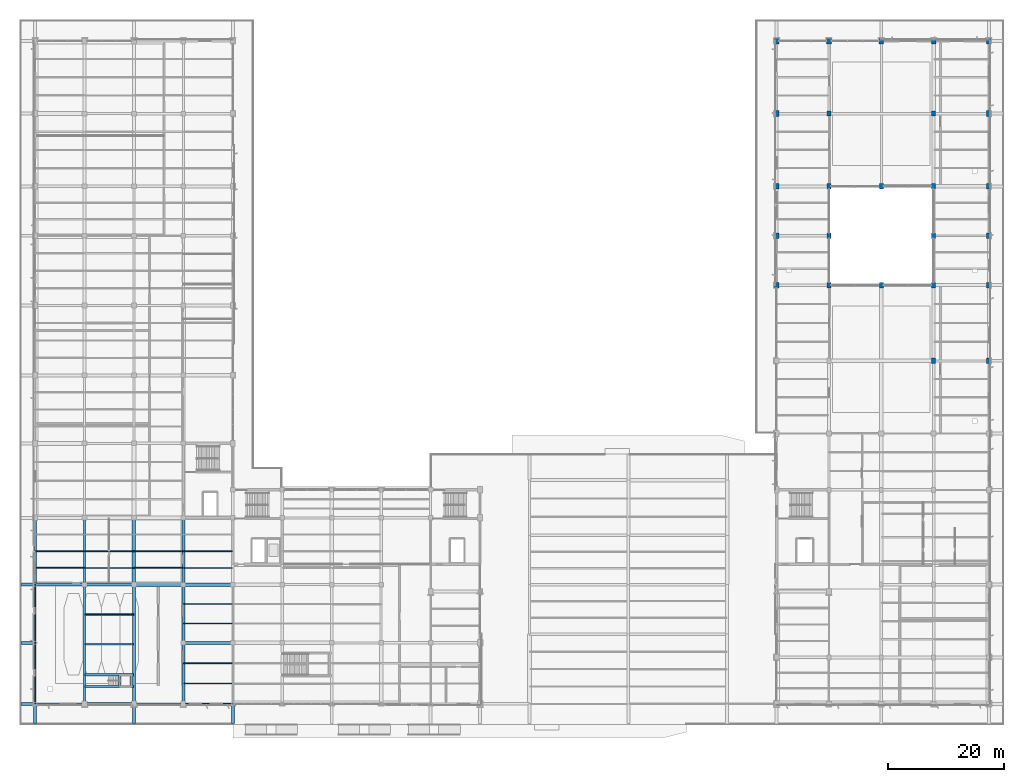
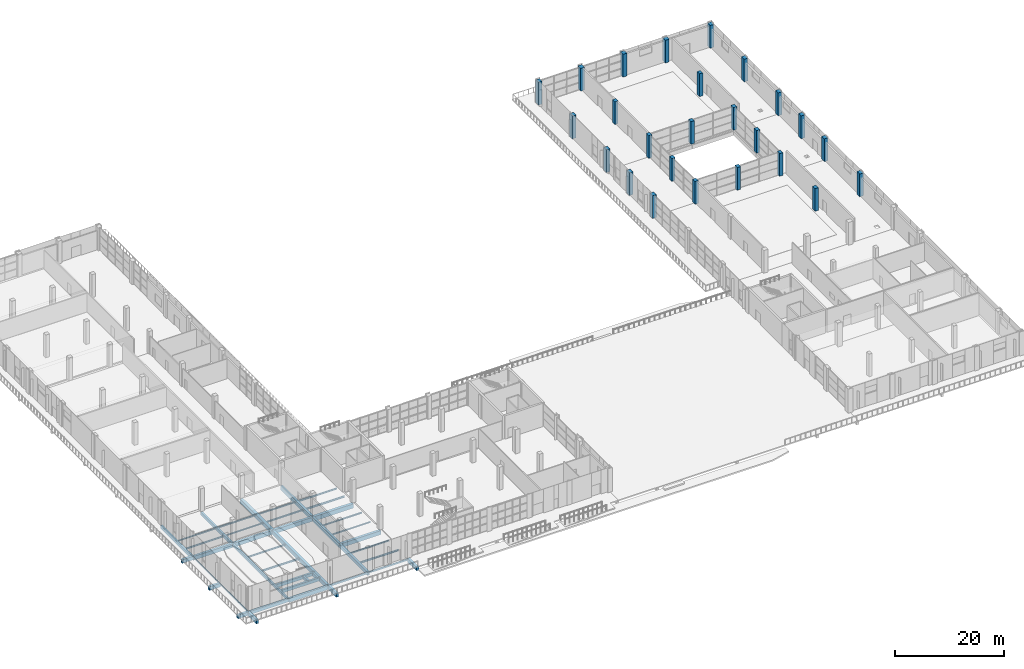
# One storey, part 7 of 90: 43 beams, 25 columns.
"""IFC4 building model written with IfcOpenShell, lengths in metres."""

from ifc_helpers import new_model, si_unit, direction, frame, origin, origin_2d, place, context, subcontext, project, spatial, rectangle, hollow_rectangle, i_section, extrude, material, material_profile, profile_set, type_object, element, save


model = new_model("IFC4")

# Units and contexts
model_context = context("Model", 3, precision=1e-05, world=origin(), true_north=direction((0.0, 1.0)))
body_context = subcontext(model_context, "Body", "Model", "MODEL_VIEW")
ifc_project = project(units=[si_unit("LENGTHUNIT", "METRE"), si_unit("AREAUNIT", "SQUARE_METRE"), si_unit("VOLUMEUNIT", "CUBIC_METRE"), si_unit("PLANEANGLEUNIT", "RADIAN"), si_unit("MASSUNIT", "GRAM", prefix="KILO")], contexts=[model_context])

# Site, building, storey
site_placement = place(None, origin())
site = spatial("IfcSite", under=ifc_project, at=site_placement, CompositionType="ELEMENT")
building_placement = place(site_placement, origin())
building = spatial("IfcBuilding", under=site, at=building_placement, Name="Solvikara Media Centre", CompositionType="ELEMENT")
storey_placement = place(building_placement, origin())
storey = spatial("IfcBuildingStorey", under=building, at=storey_placement, Name="L00", CompositionType="ELEMENT", Elevation=0.0)

# Columns
ifc_material_1 = material(Name="Concrete fc' 45 MPa (C45/55)", Category="concrete")
ifc_material_profile_1 = material_profile(ifc_material_1, rectangle(XDim=0.699951171875, YDim=0.89990234375, at=origin_2d()), Name="RC 700x900")
ifc_profile_set_1 = profile_set([ifc_material_profile_1], Name="Concrete fc' 45 MPa (C45/55)")
column_type_1 = type_object("IfcColumnType", Name="CL-12", PredefinedType="COLUMN", material=ifc_profile_set_1)
for number, where, z_axis, x_axis, name in (
    (1, (136.5, 72.0, 0.0), (0.0, 0.0, 1.0), (1.0, 0.0, 0.0), "C-L00-1365-0720"),
    (2, (136.5, 80.5, 0.0), (0.0, 0.0, 1.0), (1.0, 0.0, 0.0), "C-L00-1365-0805"),
    (3, (136.5, 89.0, 0.0), (0.0, 0.0, 1.0), (1.0, 0.0, 0.0), "C-L00-1365-0890"),
    (4, (136.5, 101.5, 0.0), (0.0, 0.0, 1.0), (1.0, 0.0, 0.0), "C-L00-1365-1015"),
    (5, (145.5, 72.0, 0.0), (0.0, 0.0, 1.0), (1.0, 0.0, 0.0), "C-L00-1455-0720"),
    (6, (145.5, 89.0, 0.0), (0.0, 0.0, 1.0), (1.0, 0.0, 0.0), "C-L00-1455-0890"),
    (7, (154.5, 59.0, 0.0), (0.0, 0.0, 1.0), (1.0, 0.0, 0.0), "C-L00-1545-0590"),
    (8, (154.5, 72.0, 0.0), (0.0, 0.0, 1.0), (1.0, 0.0, 0.0), "C-L00-1545-0720"),
    (9, (154.5, 80.5, 0.0), (0.0, 0.0, 1.0), (1.0, 0.0, 0.0), "C-L00-1545-0805"),
    (10, (154.5, 89.0, 0.0), (0.0, 0.0, 1.0), (1.0, 0.0, 0.0), "C-L00-1545-0890"),
    (11, (154.5, 101.5, 0.0), (0.0, 0.0, 1.0), (1.0, 0.0, 0.0), "C-L00-1545-1015"),
):
    element("IfcColumn", number, at=place(storey_placement, frame(where, z_axis=z_axis, x_axis=x_axis)), inside=storey, type_object=column_type_1, Name=name, PredefinedType="COLUMN", context=body_context, shape_type="SweptSolid", body=[
        extrude(rectangle(XDim=0.699951171875, YDim=0.89990234375, at=origin_2d()), origin(), (0.0, 0.0, 1.0), 5.10009765625),
    ])
ifc_material_profile_2 = material_profile(ifc_material_1, rectangle(XDim=0.800048828125, YDim=1.0, at=origin_2d()), Name="RC 800x1000")
ifc_profile_set_2 = profile_set([ifc_material_profile_2], Name="Concrete fc' 45 MPa (C45/55)")
column_type_2 = type_object("IfcColumnType", Name="CL-16", PredefinedType="COLUMN", material=ifc_profile_set_2)
for number, where, z_axis, x_axis, name in (
    (12, (127.5, 72.0, 0.0), (0.0, 0.0, 1.0), (1.0, 0.0, 0.0), "C-L00-1275-0720"),
    (13, (127.5, 80.5, 0.0), (0.0, 0.0, 1.0), (1.0, 0.0, 0.0), "C-L00-1275-0805"),
    (14, (127.5, 89.0, 0.0), (0.0, 0.0, 1.0), (1.0, 0.0, 0.0), "C-L00-1275-0890"),
    (15, (127.5, 101.5, 0.0), (0.0, 0.0, 1.0), (1.0, 0.0, 0.0), "C-L00-1275-1015"),
    (16, (127.5, 114.0, 0.0), (0.0, 0.0, 1.0), (1.0, 0.0, 0.0), "C-L00-1275-1140"),
    (17, (136.5, 114.0, 0.0), (0.0, 0.0, 1.0), (1.0, 0.0, 0.0), "C-L00-1365-1140"),
    (18, (145.5, 114.0, 0.0), (0.0, 0.0, 1.0), (1.0, 0.0, 0.0), "C-L00-1455-1140"),
    (19, (154.5, 114.0, 0.0), (0.0, 0.0, 1.0), (1.0, 0.0, 0.0), "C-L00-1545-1140"),
    (20, (164.0, 59.0, 0.0), (0.0, 0.0, 1.0), (1.0, 0.0, 0.0), "C-L00-1640-0590"),
    (21, (164.0, 72.0, 0.0), (0.0, 0.0, 1.0), (1.0, 0.0, 0.0), "C-L00-1640-0720"),
    (22, (164.0, 80.5, 0.0), (0.0, 0.0, 1.0), (1.0, 0.0, 0.0), "C-L00-1640-0805"),
    (23, (164.0, 89.0, 0.0), (0.0, 0.0, 1.0), (1.0, 0.0, 0.0), "C-L00-1640-0890"),
    (24, (164.0, 101.5, 0.0), (0.0, 0.0, 1.0), (1.0, 0.0, 0.0), "C-L00-1640-1015"),
    (25, (164.0, 114.0, 0.0), (0.0, 0.0, 1.0), (1.0, 0.0, 0.0), "C-L00-1640-1140"),
):
    element("IfcColumn", number, at=place(storey_placement, frame(where, z_axis=z_axis, x_axis=x_axis)), inside=storey, type_object=column_type_2, Name=name, PredefinedType="COLUMN", context=body_context, shape_type="SweptSolid", body=[
        extrude(rectangle(XDim=0.800048828125, YDim=1.0, at=origin_2d()), origin(), (0.0, 0.0, 1.0), 5.10009765625),
    ])

# Beams
ifc_material_2 = material(Name="Concrete fc' 35 MPa (C35/45)", Category="concrete")
ifc_material_profile_3 = material_profile(ifc_material_2, rectangle(XDim=0.35009765625, YDim=0.60009765625, at=origin_2d()), Name="RC 350x600")
ifc_profile_set_3 = profile_set([ifc_material_profile_3], Name="Concrete fc' 35 MPa (C35/45)")
beam_type_1 = type_object("IfcBeamType", Name="BM-01", PredefinedType="BEAM", material=ifc_profile_set_3)
beam_1_placement = place(storey_placement, frame((8.5, 0.0, -0.639892578125), z_axis=(0.0, 1.0, 0.0), x_axis=(-1.0, 0.0, 0.0)))
element("IfcBeam", 26, at=beam_1_placement, inside=storey, type_object=beam_type_1, Name="B-L00-Y0121", PredefinedType="BEAM", context=body_context, shape_type="SweptSolid", body=[
    extrude(rectangle(XDim=0.35009765625, YDim=0.60009765625, at=origin_2d()), origin(), (0.0, 0.0, 1.0), 20.5),
])
ifc_material_profile_4 = material_profile(ifc_material_2, rectangle(XDim=0.39990234375, YDim=0.64990234375, at=origin_2d()), Name="RC 400x650")
ifc_profile_set_4 = profile_set([ifc_material_profile_4], Name="Concrete fc' 35 MPa (C35/45)")
beam_type_2 = type_object("IfcBeamType", Name="BM-02", PredefinedType="BEAM", material=ifc_profile_set_4)
beam_2_placement = place(storey_placement, frame((8.5, 20.5, -0.6650390625), z_axis=(0.0, 1.0, 0.0), x_axis=(-1.0, 0.0, 0.0)))
element("IfcBeam", 27, at=beam_2_placement, inside=storey, type_object=beam_type_2, Name="B-L00-Y0122", PredefinedType="BEAM", context=body_context, shape_type="SweptSolid", body=[
    extrude(rectangle(XDim=0.39990234375, YDim=0.64990234375, at=origin_2d()), origin(), (0.0, 0.0, 1.0), 11.5),
])
ifc_material_profile_5 = material_profile(ifc_material_2, rectangle(XDim=0.39990234375, YDim=0.699951171875, at=origin_2d()), Name="RC 400x700")
ifc_profile_set_5 = profile_set([ifc_material_profile_5], Name="Concrete fc' 35 MPa (C35/45)")
beam_type_3 = type_object("IfcBeamType", Name="BM-03", PredefinedType="BEAM", material=ifc_profile_set_5)
for number, where, z_axis, x_axis, name in (
    (28, (8.580078125, 3.0, -0.68994140625), (1.0, 0.0, 0.0), (0.0, 1.0, 0.0), "B-VOM-GC-1"),
    (29, (8.580078125, 5.0, -0.68994140625), (1.0, 0.0, 0.0), (0.0, 1.0, 0.0), "B-VOM-GC-2"),
):
    element("IfcBeam", number, at=place(storey_placement, frame(where, z_axis=z_axis, x_axis=x_axis)), inside=storey, type_object=beam_type_3, Name=name, PredefinedType="BEAM", context=body_context, shape_type="SweptSolid", body=[
        extrude(rectangle(XDim=0.39990234375, YDim=0.699951171875, at=origin_2d()), origin(), (0.0, 0.0, 1.0), 8.33984375),
    ])
for number, where, z_axis, x_axis, name in (
    (30, (14.550048828125, 3.080078125, -0.68994140625), (0.0, 1.0, 0.0), (-1.0, 0.0, 0.0), "BVW-ST-GC-AISLE-W"),
    (31, (16.550048828125, 3.080078125, -0.68994140625), (0.0, 1.0, 0.0), (-1.0, 0.0, 0.0), "BVW-ST-GC-AISLE-E"),
):
    element("IfcBeam", number, at=place(storey_placement, frame(where, z_axis=z_axis, x_axis=x_axis)), inside=storey, type_object=beam_type_3, Name=name, PredefinedType="BEAM", context=body_context, shape_type="SweptSolid", body=[
        extrude(rectangle(XDim=0.39990234375, YDim=0.699951171875, at=origin_2d()), origin(), (0.0, 0.0, 1.0), 1.83984375),
    ])
ifc_material_profile_6 = material_profile(ifc_material_2, rectangle(XDim=0.5, YDim=0.800048828125, at=origin_2d()), Name="RC 500x800")
ifc_profile_set_6 = profile_set([ifc_material_profile_6], Name="Concrete fc' 35 MPa (C35/45)")
beam_type_4 = type_object("IfcBeamType", Name="BM-07", PredefinedType="BEAM", material=ifc_profile_set_6)
beam_3_placement = place(storey_placement, frame((25.5, 0.0, -0.739990234375), z_axis=(0.0, 1.0, 0.0), x_axis=(-1.0, 0.0, 0.0)))
element("IfcBeam", 32, at=beam_3_placement, inside=storey, type_object=beam_type_4, Name="B-L00-Y0139", PredefinedType="BEAM", context=body_context, shape_type="SweptSolid", body=[
    extrude(rectangle(XDim=0.5, YDim=0.800048828125, at=origin_2d()), origin(), (0.0, 0.0, 1.0), 10.5),
])
for number, where, z_axis, x_axis, name in (
    (33, (-2.3798828125, 0.0, -0.64990234375), (1.0, 0.0, 0.0), (0.0, 1.0, 0.0), "B-L00-PRM-001"),
    (34, (-2.3798828125, 10.5, -0.64990234375), (1.0, 0.0, 0.0), (0.0, 1.0, 0.0), "B-L00-PRM-002"),
    (35, (-2.3798828125, 20.5, -0.64990234375), (1.0, 0.0, 0.0), (0.0, 1.0, 0.0), "B-L00-PRM-003"),
):
    element("IfcBeam", number, at=place(storey_placement, frame(where, z_axis=z_axis, x_axis=x_axis)), inside=storey, type_object=beam_type_4, Name=name, PredefinedType="BEAM", context=body_context, shape_type="SweptSolid", body=[
        extrude(rectangle(XDim=0.5, YDim=0.800048828125, at=origin_2d()), origin(), (0.0, 0.0, 1.0), 2.3798828125),
    ])
for number, where, z_axis, x_axis, name in (
    (36, (0.0, -3.330078125, -0.64990234375), (0.0, 1.0, 0.0), (-1.0, 0.0, 0.0), "B-L00-PRM-022"),
    (37, (17.0, -3.330078125, -0.64990234375), (0.0, 1.0, 0.0), (-1.0, 0.0, 0.0), "B-L00-PRM-023"),
    (38, (34.0, -3.330078125, -0.64990234375), (0.0, 1.0, 0.0), (-1.0, 0.0, 0.0), "B-L00-PRM-024"),
):
    element("IfcBeam", number, at=place(storey_placement, frame(where, z_axis=z_axis, x_axis=x_axis)), inside=storey, type_object=beam_type_4, Name=name, PredefinedType="BEAM", context=body_context, shape_type="SweptSolid", body=[
        extrude(rectangle(XDim=0.5, YDim=0.800048828125, at=origin_2d()), origin(), (0.0, 0.0, 1.0), 3.330078125),
    ])
ifc_material_profile_7 = material_profile(ifc_material_2, rectangle(XDim=0.5, YDim=0.85009765625, at=origin_2d()), Name="RC 500x850")
ifc_profile_set_7 = profile_set([ifc_material_profile_7], Name="Concrete fc' 35 MPa (C35/45)")
beam_type_5 = type_object("IfcBeamType", Name="BM-08", PredefinedType="BEAM", material=ifc_profile_set_7)
beam_4_placement = place(storey_placement, frame((0.0, 20.5, -0.764892578125), z_axis=(1.0, 0.0, 0.0), x_axis=(0.0, 1.0, 0.0)))
element("IfcBeam", 39, at=beam_4_placement, inside=storey, type_object=beam_type_5, Name="B-L00-X0032", PredefinedType="BEAM", context=body_context, shape_type="SweptSolid", body=[
    extrude(rectangle(XDim=0.5, YDim=0.85009765625, at=origin_2d()), origin(), (0.0, 0.0, 1.0), 8.5),
])
beam_5_placement = place(storey_placement, frame((25.5, 10.5, -0.764892578125), z_axis=(0.0, 1.0, 0.0), x_axis=(-1.0, 0.0, 0.0)))
element("IfcBeam", 40, at=beam_5_placement, inside=storey, type_object=beam_type_5, Name="B-L00-Y0140", PredefinedType="BEAM", context=body_context, shape_type="SweptSolid", body=[
    extrude(rectangle(XDim=0.5, YDim=0.85009765625, at=origin_2d()), origin(), (0.0, 0.0, 1.0), 10.0),
])
ifc_material_profile_8 = material_profile(ifc_material_1, rectangle(XDim=0.5, YDim=0.89990234375, at=origin_2d()), Name="RC 500x900")
ifc_profile_set_8 = profile_set([ifc_material_profile_8], Name="Concrete fc' 45 MPa (C45/55)")
beam_type_6 = type_object("IfcBeamType", Name="BM-09", PredefinedType="BEAM", material=ifc_profile_set_8)
beam_6_placement = place(storey_placement, frame((8.5, 20.5, -0.7900390625), z_axis=(1.0, 0.0, 0.0), x_axis=(0.0, 1.0, 0.0)))
element("IfcBeam", 41, at=beam_6_placement, inside=storey, type_object=beam_type_6, Name="B-L00-X0033", PredefinedType="BEAM", context=body_context, shape_type="SweptSolid", body=[
    extrude(rectangle(XDim=0.5, YDim=0.89990234375, at=origin_2d()), origin(), (0.0, 0.0, 1.0), 8.5),
])
beam_7_placement = place(storey_placement, frame((25.5, 20.5, -0.7900390625), z_axis=(0.0, 1.0, 0.0), x_axis=(-1.0, 0.0, 0.0)))
element("IfcBeam", 42, at=beam_7_placement, inside=storey, type_object=beam_type_6, Name="B-L00-Y0141", PredefinedType="BEAM", context=body_context, shape_type="SweptSolid", body=[
    extrude(rectangle(XDim=0.5, YDim=0.89990234375, at=origin_2d()), origin(), (0.0, 0.0, 1.0), 11.5),
])
ifc_material_profile_9 = material_profile(ifc_material_1, rectangle(XDim=0.550048828125, YDim=0.89990234375, at=origin_2d()), Name="RC 550x900")
ifc_profile_set_9 = profile_set([ifc_material_profile_9], Name="Concrete fc' 45 MPa (C45/55)")
beam_type_7 = type_object("IfcBeamType", Name="BM-10", PredefinedType="BEAM", material=ifc_profile_set_9)
for number, where, z_axis, x_axis, name in (
    (43, (25.5, 10.5, -0.7900390625), (1.0, 0.0, 0.0), (0.0, 1.0, 0.0), "B-L00-X0022"),
    (44, (17.0, 20.5, -0.7900390625), (1.0, 0.0, 0.0), (0.0, 1.0, 0.0), "B-L00-X0034"),
):
    element("IfcBeam", number, at=place(storey_placement, frame(where, z_axis=z_axis, x_axis=x_axis)), inside=storey, type_object=beam_type_7, Name=name, PredefinedType="BEAM", context=body_context, shape_type="SweptSolid", body=[
        extrude(rectangle(XDim=0.550048828125, YDim=0.89990234375, at=origin_2d()), origin(), (0.0, 0.0, 1.0), 8.5),
    ])
beam_8_placement = place(storey_placement, frame((17.0, 0.0, -0.7900390625), z_axis=(0.0, 1.0, 0.0), x_axis=(-1.0, 0.0, 0.0)))
element("IfcBeam", 45, at=beam_8_placement, inside=storey, type_object=beam_type_7, Name="B-L00-Y0130", PredefinedType="BEAM", context=body_context, shape_type="SweptSolid", body=[
    extrude(rectangle(XDim=0.550048828125, YDim=0.89990234375, at=origin_2d()), origin(), (0.0, 0.0, 1.0), 20.5),
])
ifc_material_profile_10 = material_profile(ifc_material_1, rectangle(XDim=0.60009765625, YDim=0.949951171875, at=origin_2d()), Name="RC 600x950")
ifc_profile_set_10 = profile_set([ifc_material_profile_10], Name="Concrete fc' 45 MPa (C45/55)")
beam_type_8 = type_object("IfcBeamType", Name="BM-11", PredefinedType="BEAM", material=ifc_profile_set_10)
beam_9_placement = place(storey_placement, frame((25.5, 20.5, -0.81494140625), z_axis=(1.0, 0.0, 0.0), x_axis=(0.0, 1.0, 0.0)))
element("IfcBeam", 46, at=beam_9_placement, inside=storey, type_object=beam_type_8, Name="B-L00-X0035", PredefinedType="BEAM", context=body_context, shape_type="SweptSolid", body=[
    extrude(rectangle(XDim=0.60009765625, YDim=0.949951171875, at=origin_2d()), origin(), (0.0, 0.0, 1.0), 8.5),
])
beam_10_placement = place(storey_placement, frame((17.0, 20.5, -0.81494140625), z_axis=(0.0, 1.0, 0.0), x_axis=(-1.0, 0.0, 0.0)))
element("IfcBeam", 47, at=beam_10_placement, inside=storey, type_object=beam_type_8, Name="B-L00-Y0131", PredefinedType="BEAM", context=body_context, shape_type="SweptSolid", body=[
    extrude(rectangle(XDim=0.60009765625, YDim=0.949951171875, at=origin_2d()), origin(), (0.0, 0.0, 1.0), 11.5),
])
ifc_material_profile_11 = material_profile(ifc_material_2, rectangle(XDim=0.39990234375, YDim=0.699951171875, at=origin_2d()), Name="RC 400x700")
ifc_profile_set_11 = profile_set([ifc_material_profile_11], Name="Concrete fc' 35 MPa (C35/45)")
beam_type_9 = type_object("IfcBeamType", Name="BM-13", PredefinedType="SPANDREL", material=ifc_profile_set_11)
beam_11_placement = place(storey_placement, frame((0.0, 0.0, -0.68994140625), z_axis=(1.0, 0.0, 0.0), x_axis=(0.0, 1.0, 0.0)))
element("IfcBeam", 48, at=beam_11_placement, inside=storey, type_object=beam_type_9, Name="B-L00-X0001", PredefinedType="SPANDREL", context=body_context, shape_type="SweptSolid", body=[
    extrude(rectangle(XDim=0.39990234375, YDim=0.699951171875, at=origin_2d()), origin(), (0.0, 0.0, 1.0), 8.5),
])
beam_12_placement = place(storey_placement, frame((0.0, 20.5, -0.68994140625), z_axis=(0.0, 1.0, 0.0), x_axis=(-1.0, 0.0, 0.0)))
element("IfcBeam", 49, at=beam_12_placement, inside=storey, type_object=beam_type_9, Name="B-L00-Y0113", PredefinedType="SPANDREL", context=body_context, shape_type="SweptSolid", body=[
    extrude(rectangle(XDim=0.39990234375, YDim=0.699951171875, at=origin_2d()), origin(), (0.0, 0.0, 1.0), 11.5),
])
ifc_material_profile_12 = material_profile(ifc_material_2, rectangle(XDim=0.449951171875, YDim=0.85009765625, at=origin_2d()), Name="RC 450x850")
ifc_profile_set_12 = profile_set([ifc_material_profile_12], Name="Concrete fc' 35 MPa (C35/45)")
beam_type_10 = type_object("IfcBeamType", Name="BM-14", PredefinedType="SPANDREL", material=ifc_profile_set_12)
beam_13_placement = place(storey_placement, frame((8.5, 0.0, -0.764892578125), z_axis=(1.0, 0.0, 0.0), x_axis=(0.0, 1.0, 0.0)))
element("IfcBeam", 50, at=beam_13_placement, inside=storey, type_object=beam_type_10, Name="B-L00-X0002", PredefinedType="SPANDREL", context=body_context, shape_type="SweptSolid", body=[
    extrude(rectangle(XDim=0.449951171875, YDim=0.85009765625, at=origin_2d()), origin(), (0.0, 0.0, 1.0), 8.5),
])
ifc_material_3 = material(Name="Steel S355JR", Category="steel")
ifc_material_profile_13 = material_profile(ifc_material_3, i_section(OverallWidth=0.199951171875, OverallDepth=0.39990234375, WebThickness=0.008056640625, FlangeThickness=0.012939453125, at=origin_2d()), Name="WF 400x200x8x13")
ifc_profile_set_13 = profile_set([ifc_material_profile_13], Name="Steel S355JR")
beam_type_11 = type_object("IfcBeamType", Name="BM-21", PredefinedType="JOIST", material=ifc_profile_set_13)
beam_14_placement = place(storey_placement, frame((25.577880859375, 23.375, -0.5419921875), z_axis=(1.0, 0.0, 0.0), x_axis=(0.0, 1.0, 0.0)))
element("IfcBeam", 51, at=beam_14_placement, inside=storey, type_object=beam_type_11, Name="J-L00-0313", PredefinedType="JOIST", context=body_context, shape_type="SweptSolid", body=[
    extrude(i_section(OverallWidth=0.199951171875, OverallDepth=0.39990234375, WebThickness=0.008056640625, FlangeThickness=0.012939453125, at=origin_2d()), origin(), (0.0, 0.0, 1.0), 8.34423828125),
])
ifc_material_profile_14 = material_profile(ifc_material_3, i_section(OverallWidth=0.175048828125, OverallDepth=0.35009765625, WebThickness=0.007080078125, FlangeThickness=0.010986328125, at=origin_2d()), Name="WF 350x175x7x11")
ifc_profile_set_14 = profile_set([ifc_material_profile_14], Name="Steel S355JR")
beam_type_12 = type_object("IfcBeamType", Name="BM-22", PredefinedType="JOIST", material=ifc_profile_set_14)
beam_15_placement = place(storey_placement, frame((25.577880859375, 26.25, -0.51708984375), z_axis=(1.0, 0.0, 0.0), x_axis=(0.0, 1.0, 0.0)))
element("IfcBeam", 52, at=beam_15_placement, inside=storey, type_object=beam_type_12, Name="J-L00-0314", PredefinedType="JOIST", context=body_context, shape_type="SweptSolid", body=[
    extrude(i_section(OverallWidth=0.175048828125, OverallDepth=0.35009765625, WebThickness=0.007080078125, FlangeThickness=0.010986328125, at=origin_2d()), origin(), (0.0, 0.0, 1.0), 8.34423828125),
])
ifc_material_profile_15 = material_profile(ifc_material_3, hollow_rectangle(XDim=0.199951171875, YDim=0.39990234375, WallThickness=0.011962890625, at=origin_2d()), Name="RHS 400x200x12")
ifc_profile_set_15 = profile_set([ifc_material_profile_15], Name="Steel S355JR")
beam_type_13 = type_object("IfcBeamType", Name="BM-33", PredefinedType="SPANDREL", material=ifc_profile_set_15)
beam_16_placement = place(storey_placement, frame((17.0, 0.0, -0.5419921875), z_axis=(1.0, 0.0, 0.0), x_axis=(0.0, 1.0, 0.0)))
element("IfcBeam", 53, at=beam_16_placement, inside=storey, type_object=beam_type_13, Name="B-L00-X0003", PredefinedType="SPANDREL", context=body_context, shape_type="SweptSolid", body=[
    extrude(hollow_rectangle(XDim=0.199951171875, YDim=0.39990234375, WallThickness=0.011962890625, at=origin_2d()), origin(), (0.0, 0.0, 1.0), 8.5),
])
ifc_material_profile_16 = material_profile(ifc_material_3, hollow_rectangle(XDim=0.175048828125, YDim=0.35009765625, WallThickness=0.010009765625, at=origin_2d()), Name="RHS 350x175x10")
ifc_profile_set_16 = profile_set([ifc_material_profile_16], Name="Steel S355JR")
beam_type_14 = type_object("IfcBeamType", Name="BM-34", PredefinedType="SPANDREL", material=ifc_profile_set_16)
beam_17_placement = place(storey_placement, frame((25.5, 0.0, -0.51708984375), z_axis=(1.0, 0.0, 0.0), x_axis=(0.0, 1.0, 0.0)))
element("IfcBeam", 54, at=beam_17_placement, inside=storey, type_object=beam_type_14, Name="B-L00-X0004", PredefinedType="SPANDREL", context=body_context, shape_type="SweptSolid", body=[
    extrude(hollow_rectangle(XDim=0.175048828125, YDim=0.35009765625, WallThickness=0.010009765625, at=origin_2d()), origin(), (0.0, 0.0, 1.0), 8.5),
])
ifc_material_profile_17 = material_profile(ifc_material_3, i_section(OverallWidth=0.198974609375, OverallDepth=0.39599609375, WebThickness=0.007080078125, FlangeThickness=0.010986328125, at=origin_2d()), Name="WF 396x199x7x11")
ifc_profile_set_17 = profile_set([ifc_material_profile_17], Name="Steel S355JR")
beam_type_15 = type_object("IfcBeamType", Name="BM-37", PredefinedType="JOIST", material=ifc_profile_set_17)
for number, where, z_axis, x_axis, name in (
    (55, (8.577880859375, 10.25, -0.5400390625), (1.0, 0.0, 0.0), (0.0, 1.0, 0.0), "J-L00-0261"),
    (56, (25.577880859375, 3.5, -0.5400390625), (1.0, 0.0, 0.0), (0.0, 1.0, 0.0), "J-L00-0309"),
):
    element("IfcBeam", number, at=place(storey_placement, frame(where, z_axis=z_axis, x_axis=x_axis)), inside=storey, type_object=beam_type_15, Name=name, PredefinedType="JOIST", context=body_context, shape_type="SweptSolid", body=[
        extrude(i_section(OverallWidth=0.198974609375, OverallDepth=0.39599609375, WebThickness=0.007080078125, FlangeThickness=0.010986328125, at=origin_2d()), origin(), (0.0, 0.0, 1.0), 8.34423828125),
    ])
ifc_material_profile_18 = material_profile(ifc_material_3, i_section(OverallWidth=0.174072265625, OverallDepth=0.345947265625, WebThickness=0.006103515625, FlangeThickness=0.009033203125, at=origin_2d()), Name="WF 346x174x6x9")
ifc_profile_set_18 = profile_set([ifc_material_profile_18], Name="Steel S355JR")
beam_type_16 = type_object("IfcBeamType", Name="BM-38", PredefinedType="JOIST", material=ifc_profile_set_18)
beam_18_placement = place(storey_placement, frame((0.0, 23.375, -0.514892578125), z_axis=(1.0, 0.0, 0.0), x_axis=(0.0, 1.0, 0.0)))
element("IfcBeam", 57, at=beam_18_placement, inside=storey, type_object=beam_type_16, Name="J-L00-0238", PredefinedType="JOIST", context=body_context, shape_type="SweptSolid", body=[
    extrude(i_section(OverallWidth=0.174072265625, OverallDepth=0.345947265625, WebThickness=0.006103515625, FlangeThickness=0.009033203125, at=origin_2d()), origin(), (0.0, 0.0, 1.0), 8.422119140625),
])
for number, where, z_axis, x_axis, name in (
    (58, (8.577880859375, 15.375, -0.514892578125), (1.0, 0.0, 0.0), (0.0, 1.0, 0.0), "J-L00-0262"),
    (59, (17.077880859375, 23.375, -0.514892578125), (1.0, 0.0, 0.0), (0.0, 1.0, 0.0), "J-L00-0286"),
    (60, (25.577880859375, 7.0, -0.514892578125), (1.0, 0.0, 0.0), (0.0, 1.0, 0.0), "J-L00-0310"),
):
    element("IfcBeam", number, at=place(storey_placement, frame(where, z_axis=z_axis, x_axis=x_axis)), inside=storey, type_object=beam_type_16, Name=name, PredefinedType="JOIST", context=body_context, shape_type="SweptSolid", body=[
        extrude(i_section(OverallWidth=0.174072265625, OverallDepth=0.345947265625, WebThickness=0.006103515625, FlangeThickness=0.009033203125, at=origin_2d()), origin(), (0.0, 0.0, 1.0), 8.34423828125),
    ])
ifc_material_profile_19 = material_profile(ifc_material_3, i_section(OverallWidth=0.14892578125, OverallDepth=0.298095703125, WebThickness=0.005615234375, FlangeThickness=0.008056640625, at=origin_2d()), Name="WF 298x149x5.5x8")
ifc_profile_set_19 = profile_set([ifc_material_profile_19], Name="Steel S355JR")
beam_type_17 = type_object("IfcBeamType", Name="BM-39", PredefinedType="JOIST", material=ifc_profile_set_19)
beam_19_placement = place(storey_placement, frame((0.0, 26.25, -0.490966796875), z_axis=(1.0, 0.0, 0.0), x_axis=(0.0, 1.0, 0.0)))
element("IfcBeam", 61, at=beam_19_placement, inside=storey, type_object=beam_type_17, Name="J-L00-0239", PredefinedType="JOIST", context=body_context, shape_type="SweptSolid", body=[
    extrude(i_section(OverallWidth=0.14892578125, OverallDepth=0.298095703125, WebThickness=0.005615234375, FlangeThickness=0.008056640625, at=origin_2d()), origin(), (0.0, 0.0, 1.0), 8.422119140625),
])
for number, where, z_axis, x_axis, name in (
    (62, (8.577880859375, 23.375, -0.490966796875), (1.0, 0.0, 0.0), (0.0, 1.0, 0.0), "J-L00-0263"),
    (63, (17.077880859375, 26.25, -0.490966796875), (1.0, 0.0, 0.0), (0.0, 1.0, 0.0), "J-L00-0287"),
    (64, (25.577880859375, 13.8330078125, -0.490966796875), (1.0, 0.0, 0.0), (0.0, 1.0, 0.0), "J-L00-0311"),
):
    element("IfcBeam", number, at=place(storey_placement, frame(where, z_axis=z_axis, x_axis=x_axis)), inside=storey, type_object=beam_type_17, Name=name, PredefinedType="JOIST", context=body_context, shape_type="SweptSolid", body=[
        extrude(i_section(OverallWidth=0.14892578125, OverallDepth=0.298095703125, WebThickness=0.005615234375, FlangeThickness=0.008056640625, at=origin_2d()), origin(), (0.0, 0.0, 1.0), 8.34423828125),
    ])
ifc_material_profile_20 = material_profile(ifc_material_3, i_section(OverallWidth=0.1240234375, OverallDepth=0.248046875, WebThickness=0.0048828125, FlangeThickness=0.008056640625, at=origin_2d()), Name="WF 248x124x5x8")
ifc_profile_set_20 = profile_set([ifc_material_profile_20], Name="Steel S355JR")
beam_type_18 = type_object("IfcBeamType", Name="BM-40", PredefinedType="JOIST", material=ifc_profile_set_20)
for number, where, z_axis, x_axis, name in (
    (65, (8.577880859375, 26.25, -0.466064453125), (1.0, 0.0, 0.0), (0.0, 1.0, 0.0), "J-L00-0264"),
    (66, (25.577880859375, 17.1669921875, -0.466064453125), (1.0, 0.0, 0.0), (0.0, 1.0, 0.0), "J-L00-0312"),
):
    element("IfcBeam", number, at=place(storey_placement, frame(where, z_axis=z_axis, x_axis=x_axis)), inside=storey, type_object=beam_type_18, Name=name, PredefinedType="JOIST", context=body_context, shape_type="SweptSolid", body=[
        extrude(i_section(OverallWidth=0.1240234375, OverallDepth=0.248046875, WebThickness=0.0048828125, FlangeThickness=0.008056640625, at=origin_2d()), origin(), (0.0, 0.0, 1.0), 8.34423828125),
    ])
ifc_material_profile_21 = material_profile(ifc_material_3, hollow_rectangle(XDim=0.159912109375, YDim=0.320068359375, WallThickness=0.010009765625, at=origin_2d()), Name="RHS 320x160x10")
ifc_profile_set_21 = profile_set([ifc_material_profile_21], Name="Steel S355JR")
beam_type_19 = type_object("IfcBeamType", Name="BM-45", PredefinedType="SPANDREL", material=ifc_profile_set_21)
beam_20_placement = place(storey_placement, frame((0.0, 0.0, -0.501953125), z_axis=(0.0, 1.0, 0.0), x_axis=(-1.0, 0.0, 0.0)))
element("IfcBeam", 67, at=beam_20_placement, inside=storey, type_object=beam_type_19, Name="B-L00-Y0111", PredefinedType="SPANDREL", context=body_context, shape_type="SweptSolid", body=[
    extrude(hollow_rectangle(XDim=0.159912109375, YDim=0.320068359375, WallThickness=0.010009765625, at=origin_2d()), origin(), (0.0, 0.0, 1.0), 10.5),
])
ifc_material_profile_22 = material_profile(ifc_material_3, hollow_rectangle(XDim=0.139892578125, YDim=0.280029296875, WallThickness=0.008056640625, at=origin_2d()), Name="RHS 280x140x8")
ifc_profile_set_22 = profile_set([ifc_material_profile_22], Name="Steel S355JR")
beam_type_20 = type_object("IfcBeamType", Name="BM-46", PredefinedType="SPANDREL", material=ifc_profile_set_22)
beam_21_placement = place(storey_placement, frame((0.0, 10.5, -0.48193359375), z_axis=(0.0, 1.0, 0.0), x_axis=(-1.0, 0.0, 0.0)))
element("IfcBeam", 68, at=beam_21_placement, inside=storey, type_object=beam_type_20, Name="B-L00-Y0112", PredefinedType="SPANDREL", context=body_context, shape_type="SweptSolid", body=[
    extrude(hollow_rectangle(XDim=0.139892578125, YDim=0.280029296875, WallThickness=0.008056640625, at=origin_2d()), origin(), (0.0, 0.0, 1.0), 10.0),
])

save(model, "model.ifc")
